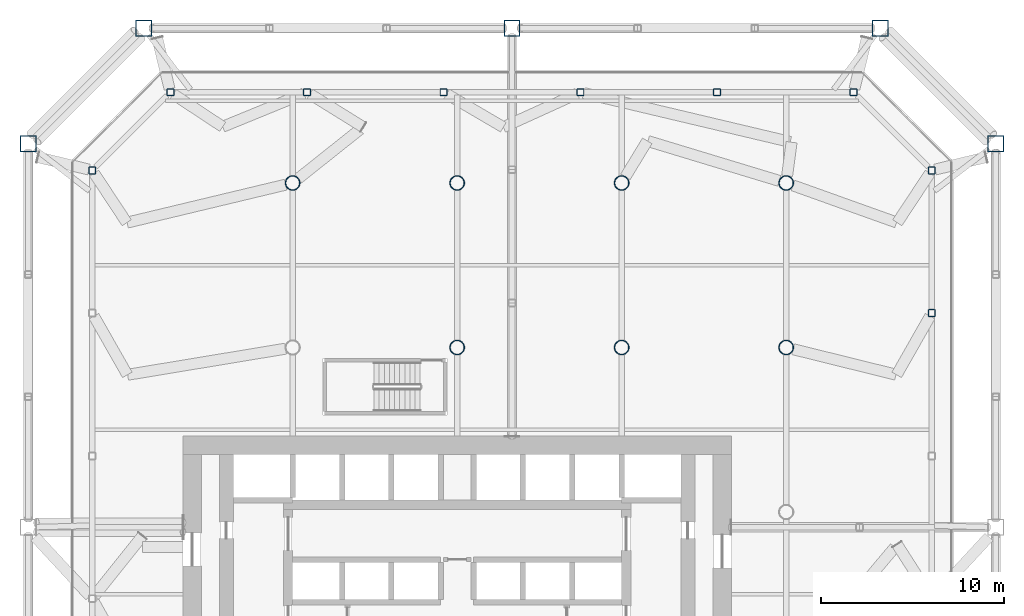
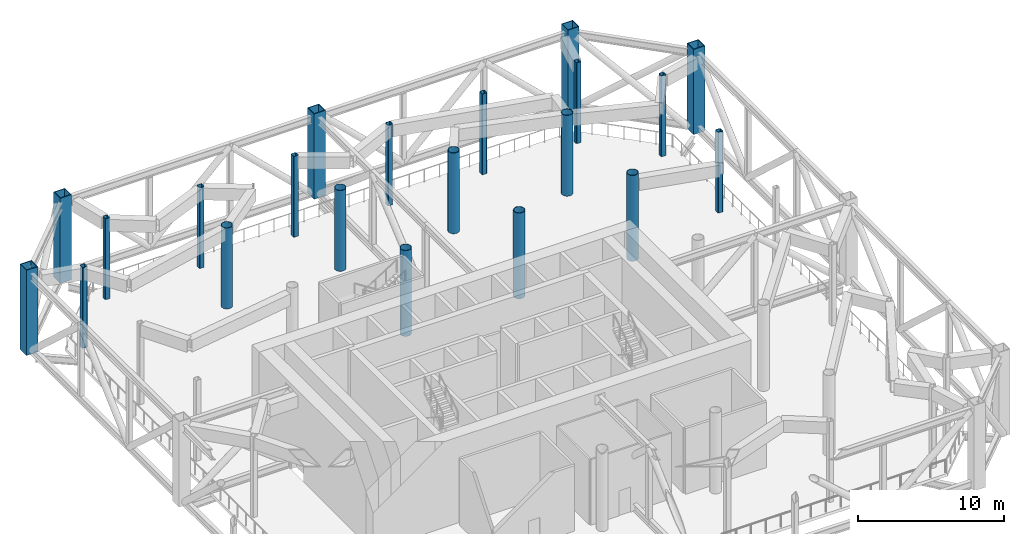
# One storey, part 2 of 20: 21 columns.
"""IFC4 building model written with IfcOpenShell, lengths in metres."""

from ifc_helpers import new_model, si_unit, direction, frame, origin, origin_2d, place, context, subcontext, project, spatial, hollow_rectangle, hollow_circle, extrude, material, material_profile, profile_set, type_object, element, save


model = new_model("IFC4")

# Units and contexts
model_context = context("Model", 3, precision=1e-05, world=origin(), true_north=direction((0.0, 1.0)))
body_context = subcontext(model_context, "Body", "Model", "MODEL_VIEW")
ifc_project = project(units=[si_unit("LENGTHUNIT", "METRE"), si_unit("AREAUNIT", "SQUARE_METRE"), si_unit("VOLUMEUNIT", "CUBIC_METRE"), si_unit("PLANEANGLEUNIT", "RADIAN"), si_unit("MASSUNIT", "GRAM", prefix="KILO")], contexts=[model_context])

# Site, building, storey
site_placement = place(None, origin())
site = spatial("IfcSite", under=ifc_project, at=site_placement, CompositionType="ELEMENT")
building_placement = place(site_placement, origin())
building = spatial("IfcBuilding", under=site, at=building_placement, Name="Tskaro Facet Tower", CompositionType="ELEMENT")
storey_placement = place(building_placement, frame((0.0, 0.0, 114.300048828125)))
storey = spatial("IfcBuildingStorey", under=building, at=storey_placement, Name="L27", CompositionType="ELEMENT", Elevation=114.300048828125)

# Columns
ifc_material_1 = material(Name="Steel S460M", Category="steel")
ifc_material_profile_1 = material_profile(ifc_material_1, hollow_rectangle(XDim=0.89990234375, YDim=0.89990234375, WallThickness=0.054931640625, at=origin_2d()), Name="BOX 900x900x55")
ifc_profile_set_1 = profile_set([ifc_material_profile_1], Name="Steel S460M")
column_type_1 = type_object("IfcColumnType", Name="BOX 900x900x55 mega column", PredefinedType="COLUMN", material=ifc_profile_set_1)
for number, where, z_axis, x_axis, name in (
    (1, (29.467041015625, 20.14111328125, 0.0), (0.0, 0.0, 1.0), (1.0, 0.0, 0.0), "BOX 900x900x55 MC06/2T"),
    (2, (23.14111328125, 26.467041015625, 0.0), (0.0, 0.0, 1.0), (1.0, 0.0, 0.0), "BOX 900x900x55 MC07/2T"),
):
    element("IfcColumn", number, at=place(storey_placement, frame(where, z_axis=z_axis, x_axis=x_axis)), inside=storey, type_object=column_type_1, Name=name, PredefinedType="COLUMN", context=body_context, shape_type="SweptSolid", body=[
        extrude(hollow_rectangle(XDim=0.89990234375, YDim=0.89990234375, WallThickness=0.054931640625, at=origin_2d()), origin(), (0.0, 0.0, 1.0), 7.142333984375),
    ])
column_1_placement = place(storey_placement, frame((3.0, 26.467041015625, 0.0), z_axis=(0.0, 0.0, 1.0), x_axis=(1.0, 0.0, 0.0)))
element("IfcColumn", 3, at=column_1_placement, inside=storey, type_object=column_type_1, Name="BOX 900x900x55 MC08/2T", PredefinedType="COLUMN", context=body_context, shape_type="SweptSolid", body=[
    extrude(hollow_rectangle(XDim=0.89990234375, YDim=0.89990234375, WallThickness=0.054931640625, at=origin_2d()), origin(), (0.0, 0.0, 1.0), 7.16259765625),
])
for number, where, z_axis, x_axis, name in (
    (4, (-17.14111328125, 26.467041015625, 0.0), (0.0, 0.0, 1.0), (1.0, 0.0, 0.0), "BOX 900x900x55 MC09/2T"),
    (5, (-23.467041015625, 20.14111328125, 0.0), (0.0, 0.0, 1.0), (1.0, 0.0, 0.0), "BOX 900x900x55 MC10/2T"),
):
    element("IfcColumn", number, at=place(storey_placement, frame(where, z_axis=z_axis, x_axis=x_axis)), inside=storey, type_object=column_type_1, Name=name, PredefinedType="COLUMN", context=body_context, shape_type="SweptSolid", body=[
        extrude(hollow_rectangle(XDim=0.89990234375, YDim=0.89990234375, WallThickness=0.054931640625, at=origin_2d()), origin(), (0.0, 0.0, 1.0), 7.142333984375),
    ])
ifc_material_2 = material(Name="Steel S355J2H", Category="steel")
ifc_material_profile_2 = material_profile(ifc_material_2, hollow_circle(Radius=0.406494140625, WallThickness=0.035888671875, at=origin_2d()), Name="CHS 812.8x36")
ifc_profile_set_2 = profile_set([ifc_material_profile_2], Name="Steel S355J2H")
column_type_2 = type_object("IfcColumnType", Name="CHS 812.8x36 interior column", PredefinedType="COLUMN", material=ifc_profile_set_2)
column_2_placement = place(storey_placement, frame((-9.0, 18.0, 0.0), z_axis=(0.0, 0.0, 1.0), x_axis=(1.0, 0.0, 0.0)))
element("IfcColumn", 6, at=column_2_placement, inside=storey, type_object=column_type_2, Name="CHS 812.8x36 C3F/2", PredefinedType="COLUMN", context=body_context, shape_type="SweptSolid", body=[
    extrude(hollow_circle(Radius=0.406494140625, WallThickness=0.035888671875, at=origin_2d()), origin(), (0.0, 0.0, 1.0), 6.780029296875),
])
column_3_placement = place(storey_placement, frame((0.0, 9.0, 0.0), z_axis=(0.0, 0.0, 1.0), x_axis=(1.0, 0.0, 0.0)))
element("IfcColumn", 7, at=column_3_placement, inside=storey, type_object=column_type_2, Name="CHS 812.8x36 C4E/2", PredefinedType="COLUMN", context=body_context, shape_type="SweptSolid", body=[
    extrude(hollow_circle(Radius=0.406494140625, WallThickness=0.035888671875, at=origin_2d()), origin(), (0.0, 0.0, 1.0), 7.199951171875),
])
column_4_placement = place(storey_placement, frame((0.0, 18.0, 0.0), z_axis=(0.0, 0.0, 1.0), x_axis=(1.0, 0.0, 0.0)))
element("IfcColumn", 8, at=column_4_placement, inside=storey, type_object=column_type_2, Name="CHS 812.8x36 C4F/2", PredefinedType="COLUMN", context=body_context, shape_type="SweptSolid", body=[
    extrude(hollow_circle(Radius=0.406494140625, WallThickness=0.035888671875, at=origin_2d()), origin(), (0.0, 0.0, 1.0), 6.780029296875),
])
column_5_placement = place(storey_placement, frame((9.0, 9.0, 0.0), z_axis=(0.0, 0.0, 1.0), x_axis=(1.0, 0.0, 0.0)))
element("IfcColumn", 9, at=column_5_placement, inside=storey, type_object=column_type_2, Name="CHS 812.8x36 C5E/2", PredefinedType="COLUMN", context=body_context, shape_type="SweptSolid", body=[
    extrude(hollow_circle(Radius=0.406494140625, WallThickness=0.035888671875, at=origin_2d()), origin(), (0.0, 0.0, 1.0), 7.199951171875),
])
column_6_placement = place(storey_placement, frame((9.0, 18.0, 0.0), z_axis=(0.0, 0.0, 1.0), x_axis=(1.0, 0.0, 0.0)))
element("IfcColumn", 10, at=column_6_placement, inside=storey, type_object=column_type_2, Name="CHS 812.8x36 C5F/2", PredefinedType="COLUMN", context=body_context, shape_type="SweptSolid", body=[
    extrude(hollow_circle(Radius=0.406494140625, WallThickness=0.035888671875, at=origin_2d()), origin(), (0.0, 0.0, 1.0), 6.780029296875),
])
column_7_placement = place(storey_placement, frame((18.0, 9.0, 0.0), z_axis=(0.0, 0.0, 1.0), x_axis=(1.0, 0.0, 0.0)))
element("IfcColumn", 11, at=column_7_placement, inside=storey, type_object=column_type_2, Name="CHS 812.8x36 C6E/2", PredefinedType="COLUMN", context=body_context, shape_type="SweptSolid", body=[
    extrude(hollow_circle(Radius=0.406494140625, WallThickness=0.035888671875, at=origin_2d()), origin(), (0.0, 0.0, 1.0), 7.199951171875),
])
column_8_placement = place(storey_placement, frame((18.0, 18.0, 0.0), z_axis=(0.0, 0.0, 1.0), x_axis=(1.0, 0.0, 0.0)))
element("IfcColumn", 12, at=column_8_placement, inside=storey, type_object=column_type_2, Name="CHS 812.8x36 C6F/2", PredefinedType="COLUMN", context=body_context, shape_type="SweptSolid", body=[
    extrude(hollow_circle(Radius=0.406494140625, WallThickness=0.035888671875, at=origin_2d()), origin(), (0.0, 0.0, 1.0), 6.780029296875),
])
ifc_material_profile_3 = material_profile(ifc_material_2, hollow_rectangle(XDim=0.39990234375, YDim=0.39990234375, WallThickness=0.02490234375, InnerFilletRadius=0.03759765625, OuterFilletRadius=0.0625, at=origin_2d()), Name="SHS 400x400x25")
ifc_profile_set_3 = profile_set([ifc_material_profile_3], Name="Steel S355J2H")
column_type_3 = type_object("IfcColumnType", Name="SHS 400x400x25 ring column", PredefinedType="COLUMN", material=ifc_profile_set_3)
for number, where, z_axis, x_axis, name in (
    (13, (25.965087890625, 10.87890625, 0.0), (0.0, 0.0, 1.0), (1.0, 0.0, 0.0), "SHS 400x400x25 RE-5/2"),
    (14, (25.965087890625, 18.68994140625, 0.0), (0.0, 0.0, 1.0), (1.0, 0.0, 0.0), "SHS 400x400x25 RNE-1/2"),
    (15, (21.68994140625, 22.965087890625, 0.0), (0.0, 0.0, 1.0), (1.0, 0.0, 0.0), "SHS 400x400x25 RN-1/2"),
    (16, (14.214111328125, 22.965087890625, 0.0), (0.0, 0.0, 1.0), (1.0, 0.0, 0.0), "SHS 400x400x25 RN-2/2"),
    (17, (6.738037109375, 22.965087890625, 0.0), (0.0, 0.0, 1.0), (1.0, 0.0, 0.0), "SHS 400x400x25 RN-3/2"),
    (18, (-0.738037109375, 22.965087890625, 0.0), (0.0, 0.0, 1.0), (1.0, 0.0, 0.0), "SHS 400x400x25 RN-4/2"),
    (19, (-8.214111328125, 22.965087890625, 0.0), (0.0, 0.0, 1.0), (1.0, 0.0, 0.0), "SHS 400x400x25 RN-5/2"),
    (20, (-15.68994140625, 22.965087890625, 0.0), (0.0, 0.0, 1.0), (1.0, 0.0, 0.0), "SHS 400x400x25 RNW-1/2"),
    (21, (-19.965087890625, 18.68994140625, 0.0), (0.0, 0.0, 1.0), (1.0, 0.0, 0.0), "SHS 400x400x25 RW-1/2"),
):
    element("IfcColumn", number, at=place(storey_placement, frame(where, z_axis=z_axis, x_axis=x_axis)), inside=storey, type_object=column_type_3, Name=name, PredefinedType="COLUMN", context=body_context, shape_type="SweptSolid", body=[
        extrude(hollow_rectangle(XDim=0.39990234375, YDim=0.39990234375, WallThickness=0.02490234375, InnerFilletRadius=0.03759765625, OuterFilletRadius=0.0625, at=origin_2d()), origin(), (0.0, 0.0, 1.0), 6.780029296875),
    ])

save(model, "model.ifc")
